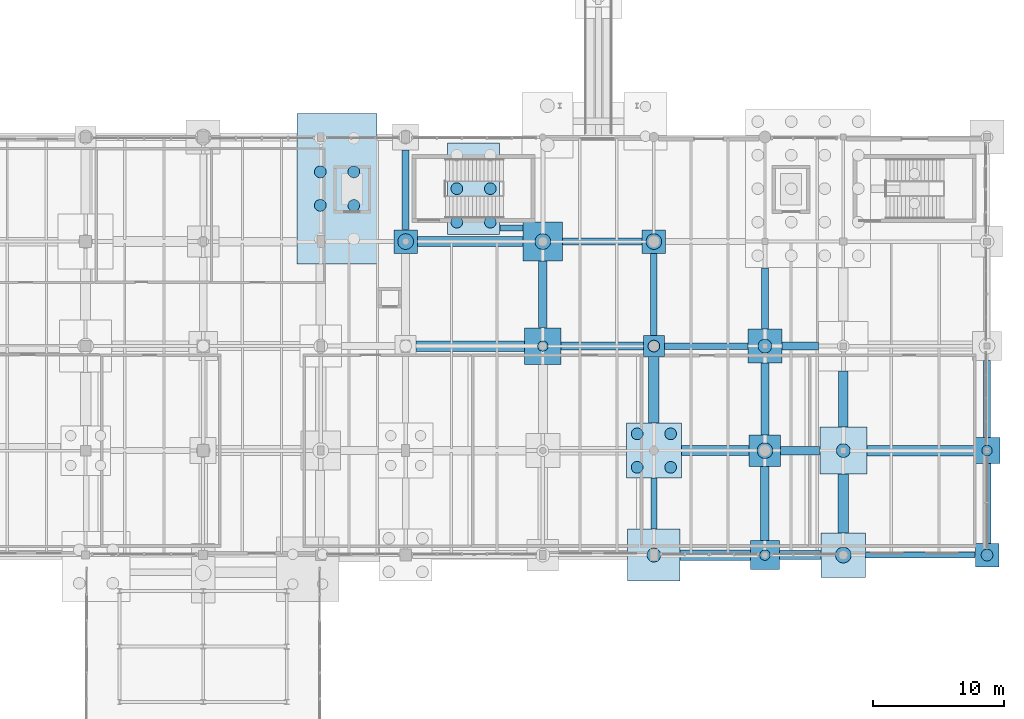
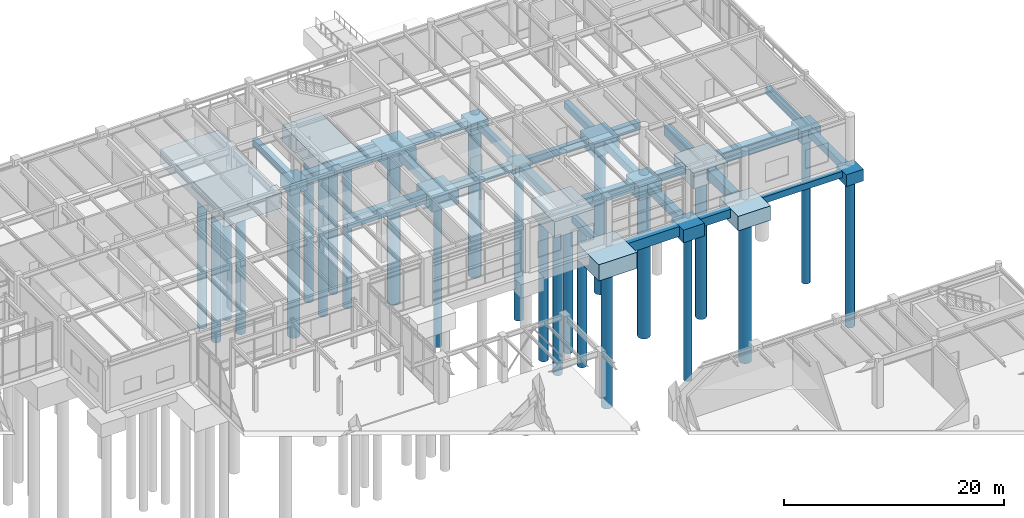
# One storey, part 5 of 203: 41 footings, 25 piles.
"""IFC4 building model written with IfcOpenShell, lengths in metres."""

from ifc_helpers import new_model, si_unit, direction, frame, origin, origin_2d, place, context, subcontext, project, spatial, polyline, circle, outline, extrude, material, material_profile, profile_set, type_object, element, save


model = new_model("IFC4")

# Units and contexts
model_context = context("Model", 3, precision=1e-05, world=origin(), true_north=direction((0.0, 1.0)))
body_context = subcontext(model_context, "Body", "Model", "MODEL_VIEW")
ifc_project = project(units=[si_unit("LENGTHUNIT", "METRE"), si_unit("AREAUNIT", "SQUARE_METRE"), si_unit("VOLUMEUNIT", "CUBIC_METRE"), si_unit("PLANEANGLEUNIT", "RADIAN"), si_unit("MASSUNIT", "GRAM", prefix="KILO"), si_unit("THERMODYNAMICTEMPERATUREUNIT", "KELVIN"), si_unit("POWERUNIT", "WATT")], contexts=[model_context])

# Site, building, storey
site_placement = place(None, origin())
site = spatial("IfcSite", under=ifc_project, at=site_placement, CompositionType="ELEMENT")
building_placement = place(site_placement, origin())
building = spatial("IfcBuilding", under=site, at=building_placement, Name="Tepalcoro Natatorium and Aquatics Centre", CompositionType="ELEMENT")
storey_placement = place(building_placement, origin())
storey = spatial("IfcBuildingStorey", under=building, at=storey_placement, Name="L00", CompositionType="ELEMENT", Elevation=0.0)

# Footings
ifc_material = material(Name="Concrete C40/50 (fc 40 MPa)", Category="concrete")
footing_type_1 = type_object("IfcFootingType", Name="FB_450x700", PredefinedType="FOOTING_BEAM", material=ifc_material)
footing_1_placement = place(storey_placement, frame((0.0, 0.0, -1.159912109375)))
element("IfcFooting", 1, at=footing_1_placement, inside=storey, type_object=footing_type_1, Name="V5 L00 Foundation Tie Beam X", PredefinedType="FOOTING_BEAM", context=body_context, shape_type="SweptSolid", body=[
    extrude(outline(polyline([(138.705078125, 110.800048828125), (140.4951171875, 110.800048828125), (140.4951171875, 111.25), (138.705078125, 111.25), (138.705078125, 110.800048828125)])), origin(), (0.0, 0.0, 1.0), 0.699951171875),
])
footing_2_placement = place(storey_placement, frame((0.0, 0.0, -1.159912109375)))
element("IfcFooting", 2, at=footing_2_placement, inside=storey, type_object=footing_type_1, Name="V5 L00 Foundation Tie Beam X", PredefinedType="FOOTING_BEAM", context=body_context, shape_type="SweptSolid", body=[
    extrude(outline(polyline([(166.705078125, 85.77490234375), (175.094970703125, 85.77490234375), (175.094970703125, 86.22509765625), (166.705078125, 86.22509765625), (166.705078125, 85.77490234375)])), origin(), (0.0, 0.0, 1.0), 0.699951171875),
])
footing_3_placement = place(storey_placement, frame((0.0, 0.0, -1.159912109375)))
element("IfcFooting", 3, at=footing_3_placement, inside=storey, type_object=footing_type_1, Name="V5 L00 Foundation Tie Beam Y", PredefinedType="FOOTING_BEAM", context=body_context, shape_type="SweptSolid", body=[
    extrude(outline(polyline([(150.72509765625, 88.0048828125), (150.72509765625, 91.89501953125), (150.27490234375, 91.89501953125), (150.27490234375, 88.0048828125), (150.72509765625, 88.0048828125)])), origin(), (0.0, 0.0, 1.0), 0.699951171875),
])
footing_type_2 = type_object("IfcFootingType", Name="FB_500x750", PredefinedType="FOOTING_BEAM", material=ifc_material)
footing_4_placement = place(storey_placement, frame((0.0, 0.0, -1.2099609375)))
element("IfcFooting", 4, at=footing_4_placement, inside=storey, type_object=footing_type_2, Name="V5 L00 Foundation Tie Beam X", PredefinedType="FOOTING_BEAM", context=body_context, shape_type="SweptSolid", body=[
    extrude(outline(polyline([(151.304931640625, 101.75), (157.695068359375, 101.75), (157.695068359375, 102.25), (151.304931640625, 102.25), (151.304931640625, 101.75)])), origin(), (0.0, 0.0, 1.0), 0.75),
])
footing_5_placement = place(storey_placement, frame((0.0, 0.0, -1.2099609375)))
element("IfcFooting", 5, at=footing_5_placement, inside=storey, type_object=footing_type_2, Name="V5 L00 Foundation Tie Beam Y", PredefinedType="FOOTING_BEAM", context=body_context, shape_type="SweptSolid", body=[
    extrude(outline(polyline([(150.75, 102.804931640625), (150.75, 109.094970703125), (150.25, 109.094970703125), (150.25, 102.804931640625), (150.75, 102.804931640625)])), origin(), (0.0, 0.0, 1.0), 0.75),
])
footing_type_3 = type_object("IfcFootingType", Name="FB_550x800", PredefinedType="FOOTING_BEAM", material=ifc_material)
footing_6_placement = place(storey_placement, frame((0.0, 0.0, -1.260009765625)))
element("IfcFooting", 6, at=footing_6_placement, inside=storey, type_object=footing_type_3, Name="V5 L00 Foundation Tie Beam X", PredefinedType="FOOTING_BEAM", context=body_context, shape_type="SweptSolid", body=[
    extrude(outline(polyline([(143.5048828125, 109.72509765625), (149.594970703125, 109.72509765625), (149.594970703125, 110.27490234375), (143.5048828125, 110.27490234375), (143.5048828125, 109.72509765625)])), origin(), (0.0, 0.0, 1.0), 0.800048828125),
])
footing_7_placement = place(storey_placement, frame((0.0, 0.0, -1.260009765625)))
element("IfcFooting", 7, at=footing_7_placement, inside=storey, type_object=footing_type_3, Name="V5 L00 Foundation Tie Beam Y", PredefinedType="FOOTING_BEAM", context=body_context, shape_type="SweptSolid", body=[
    extrude(outline(polyline([(131.77490234375, 110.905029296875), (131.77490234375, 116.9951171875), (131.22509765625, 116.9951171875), (131.22509765625, 110.905029296875), (131.77490234375, 110.905029296875)])), origin(), (0.0, 0.0, 1.0), 0.800048828125),
])
footing_8_placement = place(storey_placement, frame((0.0, 0.0, -1.260009765625)))
element("IfcFooting", 8, at=footing_8_placement, inside=storey, type_object=footing_type_3, Name="V5 L00 Foundation Tie Beam Y", PredefinedType="FOOTING_BEAM", context=body_context, shape_type="SweptSolid", body=[
    extrude(outline(polyline([(159.27490234375, 103.304931640625), (159.27490234375, 107.9951171875), (158.72509765625, 107.9951171875), (158.72509765625, 103.304931640625), (159.27490234375, 103.304931640625)])), origin(), (0.0, 0.0, 1.0), 0.800048828125),
])
footing_9_placement = place(storey_placement, frame((0.0, 0.0, -1.260009765625)))
element("IfcFooting", 9, at=footing_9_placement, inside=storey, type_object=footing_type_3, Name="V5 L00 Foundation Tie Beam Y", PredefinedType="FOOTING_BEAM", context=body_context, shape_type="SweptSolid", body=[
    extrude(outline(polyline([(176.27490234375, 95.0048828125), (176.27490234375, 100.89501953125), (175.72509765625, 100.89501953125), (175.72509765625, 95.0048828125), (176.27490234375, 95.0048828125)])), origin(), (0.0, 0.0, 1.0), 0.800048828125),
])
footing_type_4 = type_object("IfcFootingType", Name="FB_600x850", PredefinedType="FOOTING_BEAM", material=ifc_material)
footing_10_placement = place(storey_placement, frame((0.0, 0.0, -1.31005859375)))
element("IfcFooting", 10, at=footing_10_placement, inside=storey, type_object=footing_type_4, Name="V5 L00 Foundation Tie Beam X", PredefinedType="FOOTING_BEAM", context=body_context, shape_type="SweptSolid", body=[
    extrude(outline(polyline([(143.405029296875, 101.699951171875), (149.695068359375, 101.699951171875), (149.695068359375, 102.300048828125), (143.405029296875, 102.300048828125), (143.405029296875, 101.699951171875)])), origin(), (0.0, 0.0, 1.0), 0.85009765625),
])
footing_11_placement = place(storey_placement, frame((0.0, 0.0, -1.31005859375)))
element("IfcFooting", 11, at=footing_11_placement, inside=storey, type_object=footing_type_4, Name="V5 L00 Foundation Tie Beam X", PredefinedType="FOOTING_BEAM", context=body_context, shape_type="SweptSolid", body=[
    extrude(outline(polyline([(160.304931640625, 101.699951171875), (163.094970703125, 101.699951171875), (163.094970703125, 102.300048828125), (160.304931640625, 102.300048828125), (160.304931640625, 101.699951171875)])), origin(), (0.0, 0.0, 1.0), 0.85009765625),
])
footing_12_placement = place(storey_placement, frame((0.0, 0.0, -1.31005859375)))
element("IfcFooting", 12, at=footing_12_placement, inside=storey, type_object=footing_type_4, Name="V5 L00 Foundation Tie Beam Y", PredefinedType="FOOTING_BEAM", context=body_context, shape_type="SweptSolid", body=[
    extrude(outline(polyline([(159.300048828125, 95.205078125), (159.300048828125, 100.695068359375), (158.699951171875, 100.695068359375), (158.699951171875, 95.205078125), (159.300048828125, 95.205078125)])), origin(), (0.0, 0.0, 1.0), 0.85009765625),
])
footing_13_placement = place(storey_placement, frame((0.0, 0.0, -1.31005859375)))
element("IfcFooting", 13, at=footing_13_placement, inside=storey, type_object=footing_type_4, Name="V5 L00 Foundation Tie Beam Y", PredefinedType="FOOTING_BEAM", context=body_context, shape_type="SweptSolid", body=[
    extrude(outline(polyline([(176.300048828125, 86.905029296875), (176.300048828125, 92.9951171875), (175.699951171875, 92.9951171875), (175.699951171875, 86.905029296875), (176.300048828125, 86.905029296875)])), origin(), (0.0, 0.0, 1.0), 0.85009765625),
])
footing_type_5 = type_object("IfcFootingType", Name="FB_650x900", PredefinedType="FOOTING_BEAM", material=ifc_material)
footing_14_placement = place(storey_placement, frame((0.0, 0.0, -1.360107421875)))
element("IfcFooting", 14, at=footing_14_placement, inside=storey, type_object=footing_type_5, Name="V5 L00 Foundation Tie Beam X", PredefinedType="FOOTING_BEAM", context=body_context, shape_type="SweptSolid", body=[
    extrude(outline(polyline([(160.205078125, 93.675048828125), (163.195068359375, 93.675048828125), (163.195068359375, 94.324951171875), (160.205078125, 94.324951171875), (160.205078125, 93.675048828125)])), origin(), (0.0, 0.0, 1.0), 0.900146484375),
])
footing_15_placement = place(storey_placement, frame((0.0, 0.0, -1.360107421875)))
element("IfcFooting", 15, at=footing_15_placement, inside=storey, type_object=footing_type_5, Name="V5 L00 Foundation Tie Beam Y", PredefinedType="FOOTING_BEAM", context=body_context, shape_type="SweptSolid", body=[
    extrude(outline(polyline([(142.324951171875, 103.405029296875), (142.324951171875, 108.4951171875), (141.675048828125, 108.4951171875), (141.675048828125, 103.405029296875), (142.324951171875, 103.405029296875)])), origin(), (0.0, 0.0, 1.0), 0.900146484375),
])
footing_16_placement = place(storey_placement, frame((0.0, 0.0, -1.360107421875)))
element("IfcFooting", 16, at=footing_16_placement, inside=storey, type_object=footing_type_5, Name="V5 L00 Foundation Tie Beam Y", PredefinedType="FOOTING_BEAM", context=body_context, shape_type="SweptSolid", body=[
    extrude(outline(polyline([(159.324951171875, 87.10498046875), (159.324951171875, 92.794921875), (158.675048828125, 92.794921875), (158.675048828125, 87.10498046875), (159.324951171875, 87.10498046875)])), origin(), (0.0, 0.0, 1.0), 0.900146484375),
])
footing_type_6 = type_object("IfcFootingType", Name="FB_700x950", PredefinedType="FOOTING_BEAM", material=ifc_material)
footing_17_placement = place(storey_placement, frame((0.0, 0.0, -1.409912109375)))
element("IfcFooting", 17, at=footing_17_placement, inside=storey, type_object=footing_type_6, Name="V5 L00 Foundation Tie Beam X", PredefinedType="FOOTING_BEAM", context=body_context, shape_type="SweptSolid", body=[
    extrude(outline(polyline([(160.10498046875, 85.64990234375), (163.294921875, 85.64990234375), (163.294921875, 86.35009765625), (160.10498046875, 86.35009765625), (160.10498046875, 85.64990234375)])), origin(), (0.0, 0.0, 1.0), 0.949951171875),
])
footing_type_7 = type_object("IfcFootingType", Name="FB_750x1000", PredefinedType="FOOTING_BEAM", material=ifc_material)
footing_18_placement = place(storey_placement, frame((0.0, 0.0, -1.4599609375)))
element("IfcFooting", 18, at=footing_18_placement, inside=storey, type_object=footing_type_7, Name="V5 L00 Foundation Tie Beam X", PredefinedType="FOOTING_BEAM", context=body_context, shape_type="SweptSolid", body=[
    extrude(outline(polyline([(132.405029296875, 109.625), (140.4951171875, 109.625), (140.4951171875, 110.375), (132.405029296875, 110.375), (132.405029296875, 109.625)])), origin(), (0.0, 0.0, 1.0), 1.0),
])
footing_19_placement = place(storey_placement, frame((0.0, 0.0, -1.4599609375)))
element("IfcFooting", 19, at=footing_19_placement, inside=storey, type_object=footing_type_7, Name="V5 L00 Foundation Tie Beam X", PredefinedType="FOOTING_BEAM", context=body_context, shape_type="SweptSolid", body=[
    extrude(outline(polyline([(152.60498046875, 93.625), (157.794921875, 93.625), (157.794921875, 94.375), (152.60498046875, 94.375), (152.60498046875, 93.625)])), origin(), (0.0, 0.0, 1.0), 1.0),
])
footing_20_placement = place(storey_placement, frame((0.0, 0.0, -1.4599609375)))
element("IfcFooting", 20, at=footing_20_placement, inside=storey, type_object=footing_type_7, Name="V5 L00 Foundation Tie Beam Y", PredefinedType="FOOTING_BEAM", context=body_context, shape_type="SweptSolid", body=[
    extrude(outline(polyline([(165.375, 95.804931640625), (165.375, 100.094970703125), (164.625, 100.094970703125), (164.625, 95.804931640625), (165.375, 95.804931640625)])), origin(), (0.0, 0.0, 1.0), 1.0),
])
footing_type_8 = type_object("IfcFootingType", Name="FB_800x1100", PredefinedType="FOOTING_BEAM", material=ifc_material)
footing_21_placement = place(storey_placement, frame((0.0, 0.0, -1.56005859375)))
element("IfcFooting", 21, at=footing_21_placement, inside=storey, type_object=footing_type_8, Name="V5 L00 Foundation Tie Beam X", PredefinedType="FOOTING_BEAM", context=body_context, shape_type="SweptSolid", body=[
    extrude(outline(polyline([(132.304931640625, 101.60009765625), (140.594970703125, 101.60009765625), (140.594970703125, 102.39990234375), (132.304931640625, 102.39990234375), (132.304931640625, 101.60009765625)])), origin(), (0.0, 0.0, 1.0), 1.10009765625),
])
footing_22_placement = place(storey_placement, frame((0.0, 0.0, -1.56005859375)))
element("IfcFooting", 22, at=footing_22_placement, inside=storey, type_object=footing_type_8, Name="V5 L00 Foundation Tie Beam X", PredefinedType="FOOTING_BEAM", context=body_context, shape_type="SweptSolid", body=[
    extrude(outline(polyline([(152.5048828125, 85.60009765625), (157.89501953125, 85.60009765625), (157.89501953125, 86.39990234375), (152.5048828125, 86.39990234375), (152.5048828125, 85.60009765625)])), origin(), (0.0, 0.0, 1.0), 1.10009765625),
])
footing_23_placement = place(storey_placement, frame((0.0, 0.0, -1.56005859375)))
element("IfcFooting", 23, at=footing_23_placement, inside=storey, type_object=footing_type_8, Name="V5 L00 Foundation Tie Beam X", PredefinedType="FOOTING_BEAM", context=body_context, shape_type="SweptSolid", body=[
    extrude(outline(polyline([(166.804931640625, 93.60009765625), (174.9951171875, 93.60009765625), (174.9951171875, 94.39990234375), (166.804931640625, 94.39990234375), (166.804931640625, 93.60009765625)])), origin(), (0.0, 0.0, 1.0), 1.10009765625),
])
footing_24_placement = place(storey_placement, frame((0.0, 0.0, -1.56005859375)))
element("IfcFooting", 24, at=footing_24_placement, inside=storey, type_object=footing_type_8, Name="V5 L00 Foundation Tie Beam Y", PredefinedType="FOOTING_BEAM", context=body_context, shape_type="SweptSolid", body=[
    extrude(outline(polyline([(150.89990234375, 96.10498046875), (150.89990234375, 101.195068359375), (150.10009765625, 101.195068359375), (150.10009765625, 96.10498046875), (150.89990234375, 96.10498046875)])), origin(), (0.0, 0.0, 1.0), 1.10009765625),
])
footing_25_placement = place(storey_placement, frame((0.0, 0.0, -1.56005859375)))
element("IfcFooting", 25, at=footing_25_placement, inside=storey, type_object=footing_type_8, Name="V5 L00 Foundation Tie Beam Y", PredefinedType="FOOTING_BEAM", context=body_context, shape_type="SweptSolid", body=[
    extrude(outline(polyline([(165.39990234375, 87.705078125), (165.39990234375, 92.195068359375), (164.60009765625, 92.195068359375), (164.60009765625, 87.705078125), (165.39990234375, 87.705078125)])), origin(), (0.0, 0.0, 1.0), 1.10009765625),
])
footing_type_9 = type_object("IfcFootingType", Name="PC_1600x1600x1200", PredefinedType="PILE_CAP", material=ifc_material)
footing_26_placement = place(storey_placement, frame((0.0, 0.0, -1.659912109375)))
element("IfcFooting", 26, at=footing_26_placement, inside=storey, type_object=footing_type_9, Name="V5 Reinforced Concrete Pile Cap 305", PredefinedType="PILE_CAP", context=body_context, shape_type="SweptSolid", body=[
    extrude(outline(polyline([(149.699951171875, 101.199951171875), (151.300048828125, 101.199951171875), (151.300048828125, 102.800048828125), (149.699951171875, 102.800048828125), (149.699951171875, 101.199951171875)])), origin(), (0.0, 0.0, 1.0), 1.199951171875),
])
footing_type_10 = type_object("IfcFootingType", Name="PC_1800x1800x1300", PredefinedType="PILE_CAP", material=ifc_material)
footing_27_placement = place(storey_placement, frame((0.0, 0.0, -1.760009765625)))
element("IfcFooting", 27, at=footing_27_placement, inside=storey, type_object=footing_type_10, Name="V5 Reinforced Concrete Pile Cap 292", PredefinedType="PILE_CAP", context=body_context, shape_type="SweptSolid", body=[
    extrude(outline(polyline([(130.60009765625, 109.10009765625), (132.39990234375, 109.10009765625), (132.39990234375, 110.89990234375), (130.60009765625, 110.89990234375), (130.60009765625, 109.10009765625)])), origin(), (0.0, 0.0, 1.0), 1.300048828125),
])
footing_28_placement = place(storey_placement, frame((0.0, 0.0, -1.760009765625)))
element("IfcFooting", 28, at=footing_28_placement, inside=storey, type_object=footing_type_10, Name="V5 Reinforced Concrete Pile Cap 304", PredefinedType="PILE_CAP", context=body_context, shape_type="SweptSolid", body=[
    extrude(outline(polyline([(149.60009765625, 109.10009765625), (151.39990234375, 109.10009765625), (151.39990234375, 110.89990234375), (149.60009765625, 110.89990234375), (149.60009765625, 109.10009765625)])), origin(), (0.0, 0.0, 1.0), 1.300048828125),
])
footing_29_placement = place(storey_placement, frame((0.0, 0.0, -1.760009765625)))
element("IfcFooting", 29, at=footing_29_placement, inside=storey, type_object=footing_type_10, Name="V5 Reinforced Concrete Pile Cap 318", PredefinedType="PILE_CAP", context=body_context, shape_type="SweptSolid", body=[
    extrude(outline(polyline([(175.10009765625, 85.10009765625), (176.89990234375, 85.10009765625), (176.89990234375, 86.89990234375), (175.10009765625, 86.89990234375), (175.10009765625, 85.10009765625)])), origin(), (0.0, 0.0, 1.0), 1.300048828125),
])
footing_type_11 = type_object("IfcFootingType", Name="PC_2000x2000x1400", PredefinedType="PILE_CAP", material=ifc_material)
footing_30_placement = place(storey_placement, frame((0.0, 0.0, -1.860107421875)))
element("IfcFooting", 30, at=footing_30_placement, inside=storey, type_object=footing_type_11, Name="V5 Reinforced Concrete Pile Cap 317", PredefinedType="PILE_CAP", context=body_context, shape_type="SweptSolid", body=[
    extrude(outline(polyline([(175.0, 93.0), (177.0, 93.0), (177.0, 95.0), (175.0, 95.0), (175.0, 93.0)])), origin(), (0.0, 0.0, 1.0), 1.400146484375),
])
footing_type_12 = type_object("IfcFootingType", Name="PC_2200x2200x1400", PredefinedType="PILE_CAP", material=ifc_material)
footing_31_placement = place(storey_placement, frame((0.0, 0.0, -1.860107421875)))
element("IfcFooting", 31, at=footing_31_placement, inside=storey, type_object=footing_type_12, Name="V5 Reinforced Concrete Pile Cap 309", PredefinedType="PILE_CAP", context=body_context, shape_type="SweptSolid", body=[
    extrude(outline(polyline([(157.89990234375, 84.89990234375), (160.10009765625, 84.89990234375), (160.10009765625, 87.10009765625), (157.89990234375, 87.10009765625), (157.89990234375, 84.89990234375)])), origin(), (0.0, 0.0, 1.0), 1.400146484375),
])
footing_type_13 = type_object("IfcFootingType", Name="PC_2400x2400x1500", PredefinedType="PILE_CAP", material=ifc_material)
footing_32_placement = place(storey_placement, frame((0.0, 0.0, -1.9599609375)))
element("IfcFooting", 32, at=footing_32_placement, inside=storey, type_object=footing_type_13, Name="V5 Reinforced Concrete Pile Cap 308", PredefinedType="PILE_CAP", context=body_context, shape_type="SweptSolid", body=[
    extrude(outline(polyline([(157.800048828125, 92.800048828125), (160.199951171875, 92.800048828125), (160.199951171875, 95.199951171875), (157.800048828125, 95.199951171875), (157.800048828125, 92.800048828125)])), origin(), (0.0, 0.0, 1.0), 1.5),
])
footing_type_14 = type_object("IfcFootingType", Name="PC_2600x2600x1500", PredefinedType="PILE_CAP", material=ifc_material)
footing_33_placement = place(storey_placement, frame((0.0, 0.0, -1.9599609375)))
element("IfcFooting", 33, at=footing_33_placement, inside=storey, type_object=footing_type_14, Name="V5 Reinforced Concrete Pile Cap 307", PredefinedType="PILE_CAP", context=body_context, shape_type="SweptSolid", body=[
    extrude(outline(polyline([(157.699951171875, 100.699951171875), (160.300048828125, 100.699951171875), (160.300048828125, 103.300048828125), (157.699951171875, 103.300048828125), (157.699951171875, 100.699951171875)])), origin(), (0.0, 0.0, 1.0), 1.5),
])
footing_type_15 = type_object("IfcFootingType", Name="PC_2800x2800x1500", PredefinedType="PILE_CAP", material=ifc_material)
footing_34_placement = place(storey_placement, frame((0.0, 0.0, -1.9599609375)))
element("IfcFooting", 34, at=footing_34_placement, inside=storey, type_object=footing_type_15, Name="V5 Reinforced Concrete Pile Cap 297", PredefinedType="PILE_CAP", context=body_context, shape_type="SweptSolid", body=[
    extrude(outline(polyline([(140.60009765625, 100.60009765625), (143.39990234375, 100.60009765625), (143.39990234375, 103.39990234375), (140.60009765625, 103.39990234375), (140.60009765625, 100.60009765625)])), origin(), (0.0, 0.0, 1.0), 1.5),
])
footing_type_16 = type_object("IfcFootingType", Name="PC_3000x3000x1600", PredefinedType="PILE_CAP", material=ifc_material)
footing_35_placement = place(storey_placement, frame((0.0, 0.0, -2.06005859375)))
element("IfcFooting", 35, at=footing_35_placement, inside=storey, type_object=footing_type_16, Name="V5 Reinforced Concrete Pile Cap 296", PredefinedType="PILE_CAP", context=body_context, shape_type="SweptSolid", body=[
    extrude(outline(polyline([(140.5, 108.5), (143.5, 108.5), (143.5, 111.5), (140.5, 111.5), (140.5, 108.5)])), origin(), (0.0, 0.0, 1.0), 1.60009765625),
])
footing_type_17 = type_object("IfcFootingType", Name="PC_3400x3400x1600", PredefinedType="PILE_CAP", material=ifc_material)
footing_36_placement = place(storey_placement, frame((0.0, 0.0, -2.06005859375)))
element("IfcFooting", 36, at=footing_36_placement, inside=storey, type_object=footing_type_17, Name="V5 Reinforced Concrete Pile Cap 312", PredefinedType="PILE_CAP", context=body_context, shape_type="SweptSolid", body=[
    extrude(outline(polyline([(163.300048828125, 84.300048828125), (166.699951171875, 84.300048828125), (166.699951171875, 87.699951171875), (163.300048828125, 87.699951171875), (163.300048828125, 84.300048828125)])), origin(), (0.0, 0.0, 1.0), 1.60009765625),
])
footing_type_18 = type_object("IfcFootingType", Name="PC_3600x3600x1700", PredefinedType="PILE_CAP", material=ifc_material)
footing_37_placement = place(storey_placement, frame((0.0, 0.0, -2.159912109375)))
element("IfcFooting", 37, at=footing_37_placement, inside=storey, type_object=footing_type_18, Name="V5 Reinforced Concrete Pile Cap 311", PredefinedType="PILE_CAP", context=body_context, shape_type="SweptSolid", body=[
    extrude(outline(polyline([(163.199951171875, 92.199951171875), (166.800048828125, 92.199951171875), (166.800048828125, 95.800048828125), (163.199951171875, 95.800048828125), (163.199951171875, 92.199951171875)])), origin(), (0.0, 0.0, 1.0), 1.699951171875),
])
footing_type_19 = type_object("IfcFootingType", Name="PC_3800x3800x1700", PredefinedType="PILE_CAP", material=ifc_material)
footing_38_placement = place(storey_placement, frame((0.0, 0.0, -2.159912109375)))
element("IfcFooting", 38, at=footing_38_placement, inside=storey, type_object=footing_type_19, Name="V5 Reinforced Concrete Pile Cap 286", PredefinedType="PILE_CAP", context=body_context, shape_type="SweptSolid", body=[
    extrude(outline(polyline([(123.199951171875, 108.300048828125), (129.300048828125, 108.300048828125), (129.300048828125, 119.800048828125), (123.199951171875, 119.800048828125), (123.199951171875, 108.300048828125)])), origin(), (0.0, 0.0, 1.0), 1.699951171875),
])
footing_type_20 = type_object("IfcFootingType", Name="PC_4000x4000x1800", PredefinedType="PILE_CAP", material=ifc_material)
footing_39_placement = place(storey_placement, frame((0.0, 0.0, -2.260009765625)))
element("IfcFooting", 39, at=footing_39_placement, inside=storey, type_object=footing_type_20, Name="V5 Reinforced Concrete Pile Cap 303", PredefinedType="PILE_CAP", context=body_context, shape_type="SweptSolid", body=[
    extrude(outline(polyline([(148.5, 84.0), (152.5, 84.0), (152.5, 88.0), (148.5, 88.0), (148.5, 84.0)])), origin(), (0.0, 0.0, 1.0), 1.800048828125),
])
footing_type_21 = type_object("IfcFootingType", Name="PC_4000x7000x1800", PredefinedType="PILE_CAP", material=ifc_material)
footing_40_placement = place(storey_placement, frame((0.0, 0.0, -2.260009765625)))
element("IfcFooting", 40, at=footing_40_placement, inside=storey, type_object=footing_type_21, Name="V5 Reinforced Concrete Pile Cap 294", PredefinedType="PILE_CAP", context=body_context, shape_type="SweptSolid", body=[
    extrude(outline(polyline([(134.699951171875, 110.550048828125), (138.699951171875, 110.550048828125), (138.699951171875, 117.550048828125), (134.699951171875, 117.550048828125), (134.699951171875, 110.550048828125)])), origin(), (0.0, 0.0, 1.0), 1.800048828125),
])
footing_type_22 = type_object("IfcFootingType", Name="PC_4200x4200x1800", PredefinedType="PILE_CAP", material=ifc_material)
footing_41_placement = place(storey_placement, frame((0.0, 0.0, -2.260009765625)))
element("IfcFooting", 41, at=footing_41_placement, inside=storey, type_object=footing_type_22, Name="V5 Reinforced Concrete Pile Cap 302", PredefinedType="PILE_CAP", context=body_context, shape_type="SweptSolid", body=[
    extrude(outline(polyline([(148.39990234375, 91.89990234375), (152.60009765625, 91.89990234375), (152.60009765625, 96.10009765625), (148.39990234375, 96.10009765625), (148.39990234375, 91.89990234375)])), origin(), (0.0, 0.0, 1.0), 1.800048828125),
])

# Piles
ifc_material_profile_1 = material_profile(ifc_material, circle(Radius=0.52490234375, at=origin_2d()), Name="PILE_D1050")
ifc_profile_set_1 = profile_set([ifc_material_profile_1], Name="Concrete C40/50 (fc 40 MPa)")
pile_type_1 = type_object("IfcPileType", Name="PILE_D1050", PredefinedType="BORED", material=ifc_profile_set_1)
pile_1_placement = place(storey_placement, frame((150.5, 86.0, -2.159912109375), z_axis=(0.0, 0.0, -1.0), x_axis=(1.0, 0.0, 0.0)))
element("IfcPile", 42, at=pile_1_placement, inside=storey, type_object=pile_type_1, Name="Bored Pile PILE_D1050 under PC_V5_0302", PredefinedType="BORED", context=body_context, shape_type="SweptSolid", body=[
    extrude(circle(Radius=0.52490234375, at=origin_2d()), origin(), (0.0, 0.0, 1.0), 15.840087890625),
])
pile_2_placement = place(storey_placement, frame((159.0, 102.0, -1.860107421875), z_axis=(0.0, 0.0, -1.0), x_axis=(1.0, 0.0, 0.0)))
element("IfcPile", 43, at=pile_2_placement, inside=storey, type_object=pile_type_1, Name="Bored Pile PILE_D1050 under PC_V5_0306", PredefinedType="BORED", context=body_context, shape_type="SweptSolid", body=[
    extrude(circle(Radius=0.52490234375, at=origin_2d()), origin(), (0.0, 0.0, 1.0), 16.139892578125),
])
pile_3_placement = place(storey_placement, frame((165.0, 94.0, -2.06005859375), z_axis=(0.0, 0.0, -1.0), x_axis=(1.0, 0.0, 0.0)))
element("IfcPile", 44, at=pile_3_placement, inside=storey, type_object=pile_type_1, Name="Bored Pile PILE_D1050 under PC_V5_0310", PredefinedType="BORED", context=body_context, shape_type="SweptSolid", body=[
    extrude(circle(Radius=0.52490234375, at=origin_2d()), origin(), (0.0, 0.0, 1.0), 15.93994140625),
])
ifc_material_profile_2 = material_profile(ifc_material, circle(Radius=0.60009765625, at=origin_2d()), Name="PILE_D1200")
ifc_profile_set_2 = profile_set([ifc_material_profile_2], Name="Concrete C40/50 (fc 40 MPa)")
pile_type_2 = type_object("IfcPileType", Name="PILE_D1200", PredefinedType="BORED", material=ifc_profile_set_2)
pile_4_placement = place(storey_placement, frame((131.5, 110.0, -1.659912109375), z_axis=(0.0, 0.0, -1.0), x_axis=(1.0, 0.0, 0.0)))
element("IfcPile", 45, at=pile_4_placement, inside=storey, type_object=pile_type_2, Name="Bored Pile PILE_D1200 under PC_V5_0291", PredefinedType="BORED", context=body_context, shape_type="SweptSolid", body=[
    extrude(circle(Radius=0.60009765625, at=origin_2d()), origin(), (0.0, 0.0, 1.0), 16.340087890625),
])
pile_5_placement = place(storey_placement, frame((142.0, 110.0, -1.9599609375), z_axis=(0.0, 0.0, -1.0), x_axis=(1.0, 0.0, 0.0)))
element("IfcPile", 46, at=pile_5_placement, inside=storey, type_object=pile_type_2, Name="Bored Pile PILE_D1200 under PC_V5_0295", PredefinedType="BORED", context=body_context, shape_type="SweptSolid", body=[
    extrude(circle(Radius=0.60009765625, at=origin_2d()), origin(), (0.0, 0.0, 1.0), 16.0400390625),
])
pile_6_placement = place(storey_placement, frame((150.5, 110.0, -1.659912109375), z_axis=(0.0, 0.0, -1.0), x_axis=(1.0, 0.0, 0.0)))
element("IfcPile", 47, at=pile_6_placement, inside=storey, type_object=pile_type_2, Name="Bored Pile PILE_D1200 under PC_V5_0303", PredefinedType="BORED", context=body_context, shape_type="SweptSolid", body=[
    extrude(circle(Radius=0.60009765625, at=origin_2d()), origin(), (0.0, 0.0, 1.0), 16.340087890625),
])
pile_7_placement = place(storey_placement, frame((159.0, 94.0, -1.860107421875), z_axis=(0.0, 0.0, -1.0), x_axis=(1.0, 0.0, 0.0)))
element("IfcPile", 48, at=pile_7_placement, inside=storey, type_object=pile_type_2, Name="Bored Pile PILE_D1200 under PC_V5_0307", PredefinedType="BORED", context=body_context, shape_type="SweptSolid", body=[
    extrude(circle(Radius=0.60009765625, at=origin_2d()), origin(), (0.0, 0.0, 1.0), 16.139892578125),
])
pile_8_placement = place(storey_placement, frame((165.0, 86.0, -1.9599609375), z_axis=(0.0, 0.0, -1.0), x_axis=(1.0, 0.0, 0.0)))
element("IfcPile", 49, at=pile_8_placement, inside=storey, type_object=pile_type_2, Name="Bored Pile PILE_D1200 under PC_V5_0311", PredefinedType="BORED", context=body_context, shape_type="SweptSolid", body=[
    extrude(circle(Radius=0.60009765625, at=origin_2d()), origin(), (0.0, 0.0, 1.0), 16.0400390625),
])
ifc_material_profile_3 = material_profile(ifc_material, circle(Radius=0.39990234375, at=origin_2d()), Name="PILE_D800")
ifc_profile_set_3 = profile_set([ifc_material_profile_3], Name="Concrete C40/50 (fc 40 MPa)")
pile_type_3 = type_object("IfcPileType", Name="PILE_D800", PredefinedType="BORED", material=ifc_profile_set_3)
pile_9_placement = place(storey_placement, frame((142.0, 102.0, -1.860107421875), z_axis=(0.0, 0.0, -1.0), x_axis=(1.0, 0.0, 0.0)))
element("IfcPile", 50, at=pile_9_placement, inside=storey, type_object=pile_type_3, Name="Bored Pile PILE_D800 under PC_V5_0296", PredefinedType="BORED", context=body_context, shape_type="SweptSolid", body=[
    extrude(circle(Radius=0.39990234375, at=origin_2d()), origin(), (0.0, 0.0, 1.0), 16.139892578125),
])
for number, where, z_axis, x_axis, name in (
    (51, (159.0, 86.0, -1.760009765625), (0.0, 0.0, -1.0), (1.0, 0.0, 0.0), "Bored Pile PILE_D800 under PC_V5_0308"),
    (52, (176.0, 94.0, -1.760009765625), (0.0, 0.0, -1.0), (1.0, 0.0, 0.0), "Bored Pile PILE_D800 under PC_V5_0316"),
):
    element("IfcPile", number, at=place(storey_placement, frame(where, z_axis=z_axis, x_axis=x_axis)), inside=storey, type_object=pile_type_3, Name=name, PredefinedType="BORED", context=body_context, shape_type="SweptSolid", body=[
        extrude(circle(Radius=0.39990234375, at=origin_2d()), origin(), (0.0, 0.0, 1.0), 16.239990234375),
    ])
ifc_material_profile_4 = material_profile(ifc_material, circle(Radius=0.449951171875, at=origin_2d()), Name="PILE_D900")
ifc_profile_set_4 = profile_set([ifc_material_profile_4], Name="Concrete C40/50 (fc 40 MPa)")
pile_type_4 = type_object("IfcPileType", Name="PILE_D900", PredefinedType="BORED", material=ifc_profile_set_4)
for number, where, z_axis, x_axis, name in (
    (53, (124.967529296875, 112.767578125, -2.06005859375), (0.0, 0.0, -1.0), (1.0, 0.0, 0.0), "Bored Pile PILE_D900 under PC_V5_0285"),
    (54, (124.967529296875, 115.33251953125, -2.06005859375), (0.0, 0.0, -1.0), (1.0, 0.0, 0.0), "Bored Pile PILE_D900 under PC_V5_0285"),
    (55, (127.532470703125, 112.767578125, -2.06005859375), (0.0, 0.0, -1.0), (1.0, 0.0, 0.0), "Bored Pile PILE_D900 under PC_V5_0285"),
    (56, (127.532470703125, 115.33251953125, -2.06005859375), (0.0, 0.0, -1.0), (1.0, 0.0, 0.0), "Bored Pile PILE_D900 under PC_V5_0285"),
):
    element("IfcPile", number, at=place(storey_placement, frame(where, z_axis=z_axis, x_axis=x_axis)), inside=storey, type_object=pile_type_4, Name=name, PredefinedType="BORED", context=body_context, shape_type="SweptSolid", body=[
        extrude(circle(Radius=0.449951171875, at=origin_2d()), origin(), (0.0, 0.0, 1.0), 15.93994140625),
    ])
for number, where, z_axis, x_axis, name in (
    (57, (135.41748046875, 111.485107421875, -2.159912109375), (0.0, 0.0, -1.0), (1.0, 0.0, 0.0), "Bored Pile PILE_D900 under PC_V5_0293"),
    (58, (135.41748046875, 114.050048828125, -2.159912109375), (0.0, 0.0, -1.0), (1.0, 0.0, 0.0), "Bored Pile PILE_D900 under PC_V5_0293"),
    (59, (137.982421875, 111.485107421875, -2.159912109375), (0.0, 0.0, -1.0), (1.0, 0.0, 0.0), "Bored Pile PILE_D900 under PC_V5_0293"),
    (60, (137.982421875, 114.050048828125, -2.159912109375), (0.0, 0.0, -1.0), (1.0, 0.0, 0.0), "Bored Pile PILE_D900 under PC_V5_0293"),
    (61, (149.217529296875, 92.717529296875, -2.159912109375), (0.0, 0.0, -1.0), (1.0, 0.0, 0.0), "Bored Pile PILE_D900 under PC_V5_0301"),
    (62, (149.217529296875, 95.282470703125, -2.159912109375), (0.0, 0.0, -1.0), (1.0, 0.0, 0.0), "Bored Pile PILE_D900 under PC_V5_0301"),
    (63, (151.782470703125, 92.717529296875, -2.159912109375), (0.0, 0.0, -1.0), (1.0, 0.0, 0.0), "Bored Pile PILE_D900 under PC_V5_0301"),
    (64, (151.782470703125, 95.282470703125, -2.159912109375), (0.0, 0.0, -1.0), (1.0, 0.0, 0.0), "Bored Pile PILE_D900 under PC_V5_0301"),
):
    element("IfcPile", number, at=place(storey_placement, frame(where, z_axis=z_axis, x_axis=x_axis)), inside=storey, type_object=pile_type_4, Name=name, PredefinedType="BORED", context=body_context, shape_type="SweptSolid", body=[
        extrude(circle(Radius=0.449951171875, at=origin_2d()), origin(), (0.0, 0.0, 1.0), 15.840087890625),
    ])
pile_10_placement = place(storey_placement, frame((150.5, 102.0, -1.56005859375), z_axis=(0.0, 0.0, -1.0), x_axis=(1.0, 0.0, 0.0)))
element("IfcPile", 65, at=pile_10_placement, inside=storey, type_object=pile_type_4, Name="Bored Pile PILE_D900 under PC_V5_0304", PredefinedType="BORED", context=body_context, shape_type="SweptSolid", body=[
    extrude(circle(Radius=0.449951171875, at=origin_2d()), origin(), (0.0, 0.0, 1.0), 16.43994140625),
])
pile_11_placement = place(storey_placement, frame((176.0, 86.0, -1.659912109375), z_axis=(0.0, 0.0, -1.0), x_axis=(1.0, 0.0, 0.0)))
element("IfcPile", 66, at=pile_11_placement, inside=storey, type_object=pile_type_4, Name="Bored Pile PILE_D900 under PC_V5_0317", PredefinedType="BORED", context=body_context, shape_type="SweptSolid", body=[
    extrude(circle(Radius=0.449951171875, at=origin_2d()), origin(), (0.0, 0.0, 1.0), 16.340087890625),
])

save(model, "model.ifc")
